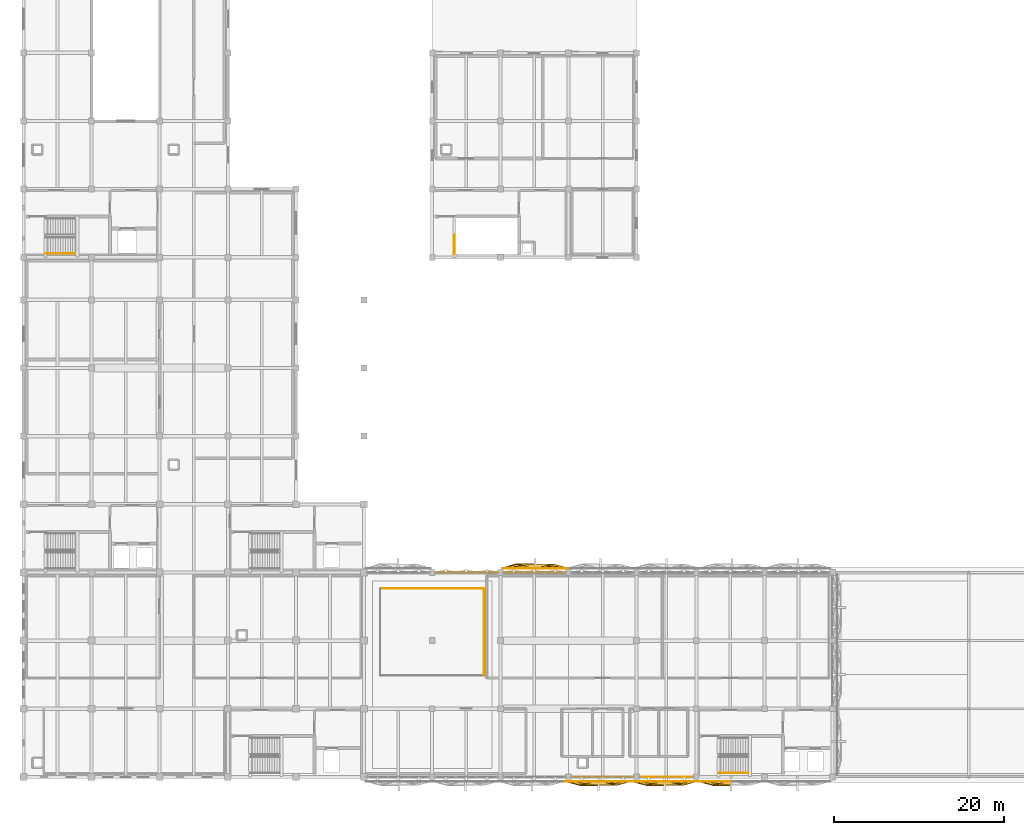
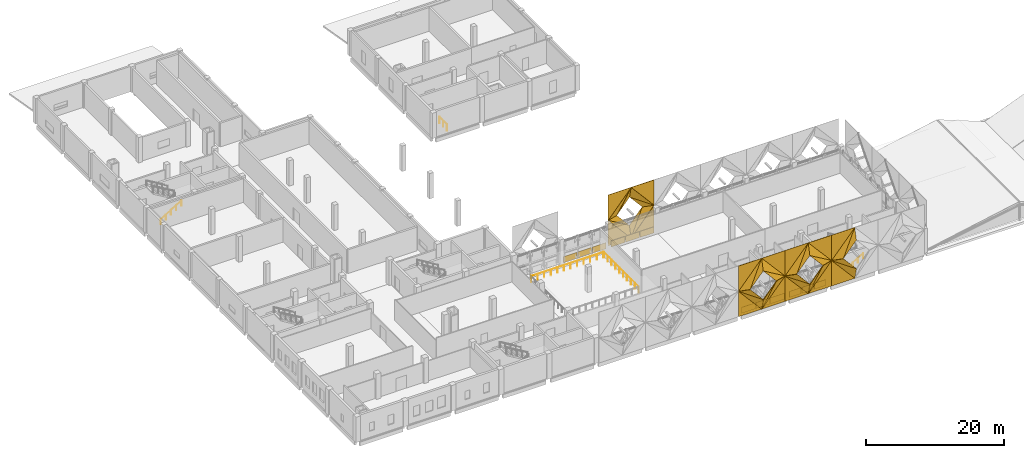
# One storey, part 31 of 37: 54 coverings, 5 railings.
"""IFC4 building model written with IfcOpenShell, lengths in metres."""

from ifc_helpers import new_model, si_unit, direction, frame, origin, origin_2d, place, context, subcontext, project, spatial, polyline, rectangle, circle, outline, extrude, material, layer, layer_set, type_object, element, save


model = new_model("IFC4")

# Units and contexts
model_context = context("Model", 3, precision=1e-05, world=origin(), true_north=direction((0.0, 1.0)))
body_context = subcontext(model_context, "Body", "Model", "MODEL_VIEW")
ifc_project = project(units=[si_unit("LENGTHUNIT", "METRE"), si_unit("AREAUNIT", "SQUARE_METRE"), si_unit("VOLUMEUNIT", "CUBIC_METRE"), si_unit("PLANEANGLEUNIT", "RADIAN"), si_unit("MASSUNIT", "GRAM", prefix="KILO")], contexts=[model_context])

# Site, building, storey
site_placement = place(None, origin())
site = spatial("IfcSite", under=ifc_project, at=site_placement, CompositionType="ELEMENT")
building_placement = place(site_placement, origin())
building = spatial("IfcBuilding", under=site, at=building_placement, Name="Qorikala Patio Media Centre", CompositionType="ELEMENT")
storey_placement = place(building_placement, frame((0.0, 0.0, 14.39990234375)))
storey = spatial("IfcBuildingStorey", under=building, at=storey_placement, Name="L03", CompositionType="ELEMENT", Elevation=14.39990234375)

# Coverings
ifc_material_1 = material(Name="Golden Bronze Anodised Aluminium Panel", Category="aluminium")
ifc_layer = layer(ifc_material_1, 0.044921875)
ifc_layer_set = layer_set([ifc_layer], Name="Golden Bronze Anodised Aluminium Panel")
covering_type = type_object("IfcCoveringType", Name="COV-CLAD-GOLD", PredefinedType="CLADDING", material=ifc_layer_set)
for number, where, z_axis, x_axis, name in (
    (1, (80.59326171875, 3.0, 0.0), (0.0, 0.0, 1.0), (-1.0, 0.0, 0.0), "L03 Golden Diamond Fold Spandrel 079"),
    (2, (78.5, 3.0, 0.0), (0.0, 0.0, 1.0), (-1.0, 0.0, 0.0), "L03 Golden Diamond Fold Spandrel 080"),
    (3, (76.40673828125, 3.0, 0.0), (0.0, 0.0, 1.0), (-1.0, 0.0, 0.0), "L03 Golden Diamond Fold Spandrel 081"),
):
    element("IfcCovering", number, at=place(storey_placement, frame(where, z_axis=z_axis, x_axis=x_axis)), inside=storey, type_object=covering_type, Name=name, PredefinedType="CLADDING", context=body_context, shape_type="SweptSolid", body=[
        extrude(rectangle(XDim=1.993408203125, YDim=0.044921875, at=origin_2d()), origin(), (0.0, 0.0, 1.0), 1.077880859375),
    ])
for number, where, z_axis, x_axis, name in (
    (4, (73.4267578125, 3.0, 0.0), (0.0, 0.0, 1.0), (-1.0, 0.0, 0.0), "L03 Golden Diamond Fold Spandrel 082"),
    (5, (71.0, 3.0, 0.0), (0.0, 0.0, 1.0), (-1.0, 0.0, 0.0), "L03 Golden Diamond Fold Spandrel 083"),
    (6, (68.5732421875, 3.0, 0.0), (0.0, 0.0, 1.0), (-1.0, 0.0, 0.0), "L03 Golden Diamond Fold Spandrel 084"),
    (7, (52.5732421875, 27.0, 0.0), (0.0, 0.0, 1.0), (1.0, 0.0, 0.0), "L03 Golden Diamond Fold Spandrel 097"),
    (8, (55.0, 27.0, 0.0), (0.0, 0.0, 1.0), (1.0, 0.0, 0.0), "L03 Golden Diamond Fold Spandrel 098"),
    (9, (57.4267578125, 27.0, 0.0), (0.0, 0.0, 1.0), (1.0, 0.0, 0.0), "L03 Golden Diamond Fold Spandrel 099"),
    (10, (60.5732421875, 27.0, 0.0), (0.0, 0.0, 1.0), (1.0, 0.0, 0.0), "L03 Golden Diamond Fold Spandrel 100"),
    (11, (63.0, 27.0, 0.0), (0.0, 0.0, 1.0), (1.0, 0.0, 0.0), "L03 Golden Diamond Fold Spandrel 101"),
    (12, (65.4267578125, 27.0, 0.0), (0.0, 0.0, 1.0), (1.0, 0.0, 0.0), "L03 Golden Diamond Fold Spandrel 102"),
):
    element("IfcCovering", number, at=place(storey_placement, frame(where, z_axis=z_axis, x_axis=x_axis)), inside=storey, type_object=covering_type, Name=name, PredefinedType="CLADDING", context=body_context, shape_type="SweptSolid", body=[
        extrude(rectangle(XDim=2.32666015625, YDim=0.044921875, at=origin_2d()), origin(), (0.0, 0.0, 1.0), 1.077880859375),
    ])
covering_1_placement = place(storey_placement, frame((70.5, 2.5, 9.0), z_axis=(-0.25998959314, -0.938955221267, 0.225318671919), x_axis=(-0.654921173069, 0.0, -0.755697199324)))
element("IfcCovering", 13, at=covering_1_placement, inside=storey, type_object=covering_type, Name="Golden Folded Diamond Facet S-2.4.TLA", PredefinedType="CLADDING", context=body_context, shape_type="SweptSolid", body=[
    extrude(outline(polyline([(0.0, 0.0), (5.9547660147806605, 4.440892098500626e-16), (4.831038962942992, 1.3809397672346417), (0.0, 0.0)])), origin(), (0.0, 0.0, -1.0), 0.044921875),
])
covering_2_placement = place(storey_placement, frame((70.5, 2.5, 9.0), z_axis=(-0.259960295692, -0.938966460381, 0.225305638952), x_axis=(-0.434683585743, -0.094555584379, -0.895605617305)))
element("IfcCovering", 14, at=covering_2_placement, inside=storey, type_object=covering_type, Name="Golden Folded Diamond Facet S-2.4.TLB", PredefinedType="CLADDING", context=body_context, shape_type="SweptSolid", body=[
    extrude(outline(polyline([(0.0, 0.0), (5.024533023297128, 0.0), (1.8182047664907954, 0.9166088951760534), (0.0, 0.0)])), origin(), (0.0, 0.0, -1.0), 0.044921875),
])
covering_3_placement = place(storey_placement, frame((74.39990234375, 2.5, 4.5), z_axis=(0.259973591034, -0.938962979761, 0.225304803775), x_axis=(-0.654921173069, 0.0, 0.755697199324)))
element("IfcCovering", 15, at=covering_3_placement, inside=storey, type_object=covering_type, Name="Golden Folded Diamond Facet S-2.4.TRA", PredefinedType="CLADDING", context=body_context, shape_type="SweptSolid", body=[
    extrude(outline(polyline([(0.0, 0.0), (5.9547660147806605, -4.440892098500626e-16), (4.458500319829892, 1.3810247679600853), (0.0, 0.0)])), origin(), (0.0, 0.0, -1.0), 0.044921875),
])
covering_4_placement = place(storey_placement, frame((74.39990234375, 2.5, 4.5), z_axis=(0.259988869131, -0.938952606503, 0.225330403337), x_axis=(-0.83554610606, -0.10178870179, 0.539909033852)))
element("IfcCovering", 16, at=covering_4_placement, inside=storey, type_object=covering_type, Name="Golden Folded Diamond Facet S-2.4.TRB", PredefinedType="CLADDING", context=body_context, shape_type="SweptSolid", body=[
    extrude(outline(polyline([(0.0, 0.0), (4.667489101395145, -4.440892098500626e-16), (1.4820065544618495, 0.9866173018419853), (0.0, 0.0)])), origin(), (0.0, 0.0, -1.0), 0.044921875),
])
covering_5_placement = place(storey_placement, frame((70.5, 2.5, 0.0), z_axis=(-0.25998959314, 0.938955221267, 0.225318671919), x_axis=(0.654921173069, 0.0, 0.755697199324)))
element("IfcCovering", 17, at=covering_5_placement, inside=storey, type_object=covering_type, Name="Golden Folded Diamond Facet S-2.4.BRA", PredefinedType="CLADDING", context=body_context, shape_type="SweptSolid", body=[
    extrude(outline(polyline([(0.0, 0.0), (5.9547660147806605, -4.440892098500626e-16), (4.831038962942992, -1.3809397672346417), (0.0, 0.0)])), origin(), (0.0, 0.0, -1.0), 0.044921875),
])
covering_6_placement = place(storey_placement, frame((70.5, 2.5, 0.0), z_axis=(-0.259960295692, 0.938966460381, 0.225305638952), x_axis=(0.434683585743, -0.094555584379, 0.895605617305)))
element("IfcCovering", 18, at=covering_6_placement, inside=storey, type_object=covering_type, Name="Golden Folded Diamond Facet S-2.4.BRB", PredefinedType="CLADDING", context=body_context, shape_type="SweptSolid", body=[
    extrude(outline(polyline([(0.0, 0.0), (5.024533023297128, 0.0), (1.8182047664907954, -0.9166088951760534), (0.0, 0.0)])), origin(), (0.0, 0.0, -1.0), 0.044921875),
])
covering_7_placement = place(storey_placement, frame((66.60009765625, 2.5, 4.5), z_axis=(0.259973591034, 0.938962979761, 0.225304803775), x_axis=(0.654921173069, 0.0, -0.755697199324)))
element("IfcCovering", 19, at=covering_7_placement, inside=storey, type_object=covering_type, Name="Golden Folded Diamond Facet S-2.4.BLA", PredefinedType="CLADDING", context=body_context, shape_type="SweptSolid", body=[
    extrude(outline(polyline([(0.0, 0.0), (5.9547660147806605, 4.440892098500626e-16), (4.458500319829892, -1.3810247679600853), (0.0, 0.0)])), origin(), (0.0, 0.0, -1.0), 0.044921875),
])
covering_8_placement = place(storey_placement, frame((66.60009765625, 2.5, 4.5), z_axis=(0.259988869131, 0.938952606503, 0.225330403337), x_axis=(0.83554610606, -0.10178870179, -0.539909033852)))
element("IfcCovering", 20, at=covering_8_placement, inside=storey, type_object=covering_type, Name="Golden Folded Diamond Facet S-2.4.BLB", PredefinedType="CLADDING", context=body_context, shape_type="SweptSolid", body=[
    extrude(outline(polyline([(0.0, 0.0), (4.667489101395145, 4.440892098500626e-16), (1.4820065544618495, -0.9866173018419853), (0.0, 0.0)])), origin(), (0.0, 0.0, -1.0), 0.044921875),
])
covering_9_placement = place(storey_placement, frame((66.60009765625, 2.5, 9.0), z_axis=(0.0, 1.0, 0.0), x_axis=(1.0, 0.0, 0.0)))
element("IfcCovering", 21, at=covering_9_placement, inside=storey, type_object=covering_type, Name="Golden Diamond Valley Spandrel S-2.4.CTL", PredefinedType="CLADDING", context=body_context, shape_type="SweptSolid", body=[
    extrude(outline(polyline([(0.0, 0.0), (3.89990234375, 0.0), (0.0, 4.5), (0.0, 0.0)])), origin(), (0.0, 0.0, -1.0), 0.044921875),
])
covering_10_placement = place(storey_placement, frame((74.39990234375, 2.5, 9.0), z_axis=(0.0, 1.0, 0.0), x_axis=(0.0, 0.0, -1.0)))
element("IfcCovering", 22, at=covering_10_placement, inside=storey, type_object=covering_type, Name="Golden Diamond Valley Spandrel S-2.4.CTR", PredefinedType="CLADDING", context=body_context, shape_type="SweptSolid", body=[
    extrude(outline(polyline([(0.0, 0.0), (4.5, 0.0), (0.0, 3.89990234375), (0.0, 0.0)])), origin(), (0.0, 0.0, -1.0), 0.044921875),
])
covering_11_placement = place(storey_placement, frame((74.39990234375, 2.5, 0.0), z_axis=(0.0, 1.0, 0.0), x_axis=(-1.0, 0.0, 0.0)))
element("IfcCovering", 23, at=covering_11_placement, inside=storey, type_object=covering_type, Name="Golden Diamond Valley Spandrel S-2.4.CBR", PredefinedType="CLADDING", context=body_context, shape_type="SweptSolid", body=[
    extrude(outline(polyline([(0.0, 0.0), (3.89990234375, 0.0), (0.0, 4.5), (0.0, 0.0)])), origin(), (0.0, 0.0, -1.0), 0.044921875),
])
covering_12_placement = place(storey_placement, frame((66.60009765625, 2.5, 0.0), z_axis=(0.0, 1.0, 0.0), x_axis=(0.0, 0.0, 1.0)))
element("IfcCovering", 24, at=covering_12_placement, inside=storey, type_object=covering_type, Name="Golden Diamond Valley Spandrel S-2.4.CBL", PredefinedType="CLADDING", context=body_context, shape_type="SweptSolid", body=[
    extrude(outline(polyline([(0.0, 0.0), (4.5, 0.0), (0.0, 3.89990234375), (0.0, 0.0)])), origin(), (0.0, 0.0, -1.0), 0.044921875),
])
covering_13_placement = place(storey_placement, frame((78.300048828125, 2.5, 9.0), z_axis=(-0.259956156203, -0.938968048279, 0.22530379749), x_axis=(-0.654944585876, 0.0, -0.755676908098)))
element("IfcCovering", 25, at=covering_13_placement, inside=storey, type_object=covering_type, Name="Golden Folded Diamond Facet S-2.5.TLA", PredefinedType="CLADDING", context=body_context, shape_type="SweptSolid", body=[
    extrude(outline(polyline([(0.0, 0.0), (5.954925910503226, 0.0), (4.830998787915266, 1.3810803066312252), (0.0, 0.0)])), origin(), (0.0, 0.0, -1.0), 0.044921875),
])
covering_14_placement = place(storey_placement, frame((78.300048828125, 2.5, 9.0), z_axis=(-0.259960295692, -0.938966460381, 0.225305638952), x_axis=(-0.434683585743, -0.094555584379, -0.895605617305)))
element("IfcCovering", 26, at=covering_14_placement, inside=storey, type_object=covering_type, Name="Golden Folded Diamond Facet S-2.5.TLB", PredefinedType="CLADDING", context=body_context, shape_type="SweptSolid", body=[
    extrude(outline(polyline([(0.0, 0.0), (5.024533023297128, 0.0), (1.8182047664907954, 0.9166088951760534), (0.0, 0.0)])), origin(), (0.0, 0.0, -1.0), 0.044921875),
])
covering_15_placement = place(storey_placement, frame((82.199951171875, 2.5, 4.5), z_axis=(0.259973591034, -0.938962979761, 0.225304803775), x_axis=(-0.654921173069, 0.0, 0.755697199324)))
element("IfcCovering", 27, at=covering_15_placement, inside=storey, type_object=covering_type, Name="Golden Folded Diamond Facet S-2.5.TRA", PredefinedType="CLADDING", context=body_context, shape_type="SweptSolid", body=[
    extrude(outline(polyline([(0.0, 0.0), (5.9547660147806605, -4.440892098500626e-16), (4.458500319829892, 1.3810247679600853), (0.0, 0.0)])), origin(), (0.0, 0.0, -1.0), 0.044921875),
])
covering_16_placement = place(storey_placement, frame((82.199951171875, 2.5, 4.5), z_axis=(0.25995773344, -0.938973745299, 0.225278233445), x_axis=(-0.83554610606, -0.10178870179, 0.539909033852)))
element("IfcCovering", 28, at=covering_16_placement, inside=storey, type_object=covering_type, Name="Golden Folded Diamond Facet S-2.5.TRB", PredefinedType="CLADDING", context=body_context, shape_type="SweptSolid", body=[
    extrude(outline(polyline([(0.0, 0.0), (4.667489101395145, -4.440892098500626e-16), (1.4822105452103993, 0.9867354710967576), (0.0, 0.0)])), origin(), (0.0, 0.0, -1.0), 0.044921875),
])
covering_17_placement = place(storey_placement, frame((78.300048828125, 2.5, 0.0), z_axis=(-0.259956982212, 0.938971031843, 0.225290409823), x_axis=(0.654921173069, 0.0, 0.755697199324)))
element("IfcCovering", 29, at=covering_17_placement, inside=storey, type_object=covering_type, Name="Golden Folded Diamond Facet S-2.5.BRA", PredefinedType="CLADDING", context=body_context, shape_type="SweptSolid", body=[
    extrude(outline(polyline([(0.0, 0.0), (5.9547660147806605, -4.440892098500626e-16), (4.830879070078474, -1.38111300253869), (0.0, 0.0)])), origin(), (0.0, 0.0, -1.0), 0.044921875),
])
covering_18_placement = place(storey_placement, frame((78.300048828125, 2.5, 0.0), z_axis=(-0.259987393467, 0.938959366186, 0.225303936695), x_axis=(0.434644175798, -0.094557581454, 0.895624533069)))
element("IfcCovering", 30, at=covering_18_placement, inside=storey, type_object=covering_type, Name="Golden Folded Diamond Facet S-2.5.BRB", PredefinedType="CLADDING", context=body_context, shape_type="SweptSolid", body=[
    extrude(outline(polyline([(0.0, 0.0), (5.02442690418556, -2.220446049250313e-16), (1.8182431681390123, -0.9165327168855022), (0.0, 0.0)])), origin(), (0.0, 0.0, -1.0), 0.044921875),
])
covering_19_placement = place(storey_placement, frame((74.39990234375, 2.5, 4.5), z_axis=(0.259958417044, 0.938966952181, 0.22530575696), x_axis=(0.654944585876, 0.0, -0.755676908098)))
element("IfcCovering", 31, at=covering_19_placement, inside=storey, type_object=covering_type, Name="Golden Folded Diamond Facet S-2.5.BLA", PredefinedType="CLADDING", context=body_context, shape_type="SweptSolid", body=[
    extrude(outline(polyline([(0.0, 0.0), (5.954925910503226, 0.0), (4.458700391784378, -1.3810682954655882), (0.0, 0.0)])), origin(), (0.0, 0.0, -1.0), 0.044921875),
])
covering_20_placement = place(storey_placement, frame((74.39990234375, 2.5, 4.5), z_axis=(0.259956258476, 0.938968417692, 0.225302139927), x_axis=(0.835561894446, -0.101784253308, -0.539885438152)))
element("IfcCovering", 32, at=covering_20_placement, inside=storey, type_object=covering_type, Name="Golden Folded Diamond Facet S-2.5.BLB", PredefinedType="CLADDING", context=body_context, shape_type="SweptSolid", body=[
    extrude(outline(polyline([(0.0, 0.0), (4.667693094071031, -8.881784197001252e-16), (1.4822355256344402, -0.9866979460810914), (0.0, 0.0)])), origin(), (0.0, 0.0, -1.0), 0.044921875),
])
covering_21_placement = place(storey_placement, frame((74.39990234375, 2.5, 9.0), z_axis=(0.0, 1.0, 0.0), x_axis=(1.0, 0.0, 0.0)))
element("IfcCovering", 33, at=covering_21_placement, inside=storey, type_object=covering_type, Name="Golden Diamond Valley Spandrel S-2.5.CTL", PredefinedType="CLADDING", context=body_context, shape_type="SweptSolid", body=[
    extrude(outline(polyline([(0.0, 0.0), (3.900146484375, 0.0), (0.0, 4.5), (0.0, 0.0)])), origin(), (0.0, 0.0, -1.0), 0.044921875),
])
covering_22_placement = place(storey_placement, frame((82.199951171875, 2.5, 9.0), z_axis=(0.0, 1.0, 0.0), x_axis=(0.0, 0.0, -1.0)))
element("IfcCovering", 34, at=covering_22_placement, inside=storey, type_object=covering_type, Name="Golden Diamond Valley Spandrel S-2.5.CTR", PredefinedType="CLADDING", context=body_context, shape_type="SweptSolid", body=[
    extrude(outline(polyline([(0.0, 0.0), (4.5, 0.0), (0.0, 3.89990234375), (0.0, 0.0)])), origin(), (0.0, 0.0, -1.0), 0.044921875),
])
covering_23_placement = place(storey_placement, frame((82.199951171875, 2.5, 0.0), z_axis=(0.0, 1.0, 0.0), x_axis=(-1.0, 0.0, 0.0)))
element("IfcCovering", 35, at=covering_23_placement, inside=storey, type_object=covering_type, Name="Golden Diamond Valley Spandrel S-2.5.CBR", PredefinedType="CLADDING", context=body_context, shape_type="SweptSolid", body=[
    extrude(outline(polyline([(0.0, 0.0), (3.89990234375, 0.0), (0.0, 4.5), (0.0, 0.0)])), origin(), (0.0, 0.0, -1.0), 0.044921875),
])
covering_24_placement = place(storey_placement, frame((74.39990234375, 2.5, 0.0), z_axis=(0.0, 1.0, 0.0), x_axis=(0.0, 0.0, 1.0)))
element("IfcCovering", 36, at=covering_24_placement, inside=storey, type_object=covering_type, Name="Golden Diamond Valley Spandrel S-2.5.CBL", PredefinedType="CLADDING", context=body_context, shape_type="SweptSolid", body=[
    extrude(outline(polyline([(0.0, 0.0), (4.5, 0.0), (0.0, 3.900146484375), (0.0, 0.0)])), origin(), (0.0, 0.0, -1.0), 0.044921875),
])
covering_25_placement = place(storey_placement, frame((86.10009765625, 2.5, 9.0), z_axis=(-0.259956156203, -0.938968048279, 0.22530379749), x_axis=(-0.654944585876, 0.0, -0.755676908098)))
element("IfcCovering", 37, at=covering_25_placement, inside=storey, type_object=covering_type, Name="Golden Folded Diamond Facet S-2.6.TLA", PredefinedType="CLADDING", context=body_context, shape_type="SweptSolid", body=[
    extrude(outline(polyline([(0.0, 0.0), (5.954925910503226, 0.0), (4.830998787915266, 1.3810803066312252), (0.0, 0.0)])), origin(), (0.0, 0.0, -1.0), 0.044921875),
])
covering_26_placement = place(storey_placement, frame((86.10009765625, 2.5, 9.0), z_axis=(-0.259960295692, -0.938966460381, 0.225305638952), x_axis=(-0.434683585743, -0.094555584379, -0.895605617305)))
element("IfcCovering", 38, at=covering_26_placement, inside=storey, type_object=covering_type, Name="Golden Folded Diamond Facet S-2.6.TLB", PredefinedType="CLADDING", context=body_context, shape_type="SweptSolid", body=[
    extrude(outline(polyline([(0.0, 0.0), (5.024533023297128, 0.0), (1.8182047664907954, 0.9166088951760534), (0.0, 0.0)])), origin(), (0.0, 0.0, -1.0), 0.044921875),
])
covering_27_placement = place(storey_placement, frame((82.199951171875, 2.5, 4.5), z_axis=(0.259958417044, 0.938966952181, 0.22530575696), x_axis=(0.654944585876, 0.0, -0.755676908098)))
element("IfcCovering", 39, at=covering_27_placement, inside=storey, type_object=covering_type, Name="Golden Folded Diamond Facet S-2.6.BLA", PredefinedType="CLADDING", context=body_context, shape_type="SweptSolid", body=[
    extrude(outline(polyline([(0.0, 0.0), (5.954925910503226, 0.0), (4.458700391784378, -1.3810682954655882), (0.0, 0.0)])), origin(), (0.0, 0.0, -1.0), 0.044921875),
])
covering_28_placement = place(storey_placement, frame((82.199951171875, 2.5, 4.5), z_axis=(0.259956258476, 0.938968417692, 0.225302139927), x_axis=(0.835561894446, -0.101784253308, -0.539885438152)))
element("IfcCovering", 40, at=covering_28_placement, inside=storey, type_object=covering_type, Name="Golden Folded Diamond Facet S-2.6.BLB", PredefinedType="CLADDING", context=body_context, shape_type="SweptSolid", body=[
    extrude(outline(polyline([(0.0, 0.0), (4.667693094071031, -8.881784197001252e-16), (1.4822355256344402, -0.9866979460810914), (0.0, 0.0)])), origin(), (0.0, 0.0, -1.0), 0.044921875),
])
covering_29_placement = place(storey_placement, frame((82.199951171875, 2.5, 9.0), z_axis=(0.0, 1.0, 0.0), x_axis=(1.0, 0.0, 0.0)))
element("IfcCovering", 41, at=covering_29_placement, inside=storey, type_object=covering_type, Name="Golden Diamond Valley Spandrel S-2.6.CTL", PredefinedType="CLADDING", context=body_context, shape_type="SweptSolid", body=[
    extrude(outline(polyline([(0.0, 0.0), (3.900146484375, 0.0), (0.0, 4.5), (0.0, 0.0)])), origin(), (0.0, 0.0, -1.0), 0.044921875),
])
covering_30_placement = place(storey_placement, frame((82.199951171875, 2.5, 0.0), z_axis=(0.0, 1.0, 0.0), x_axis=(0.0, 0.0, 1.0)))
element("IfcCovering", 42, at=covering_30_placement, inside=storey, type_object=covering_type, Name="Golden Diamond Valley Spandrel S-2.6.CBL", PredefinedType="CLADDING", context=body_context, shape_type="SweptSolid", body=[
    extrude(outline(polyline([(0.0, 0.0), (4.5, 0.0), (0.0, 3.900146484375), (0.0, 0.0)])), origin(), (0.0, 0.0, -1.0), 0.044921875),
])
covering_31_placement = place(storey_placement, frame((63.06005859375, 27.5, 9.0), z_axis=(-0.262462378719, 0.93830974756, 0.225140661346), x_axis=(-0.651079578851, 0.0, -0.759009474251)))
element("IfcCovering", 43, at=covering_31_placement, inside=storey, type_object=covering_type, Name="Golden Folded Diamond Facet N-2.1.TLA", PredefinedType="CLADDING", context=body_context, shape_type="SweptSolid", body=[
    extrude(outline(polyline([(0.0, 0.0), (5.928779748684755, 0.0), (4.822929985484664, -1.373924994689336), (0.0, 0.0)])), origin(), (0.0, 0.0, -1.0), 0.044921875),
])
covering_32_placement = place(storey_placement, frame((63.06005859375, 27.5, 9.0), z_axis=(-0.262476283203, 0.938304391158, 0.225146774993), x_axis=(-0.431047420192, 0.094738906674, -0.897341997851)))
element("IfcCovering", 44, at=covering_32_placement, inside=storey, type_object=covering_type, Name="Golden Folded Diamond Facet N-2.1.TLB", PredefinedType="CLADDING", context=body_context, shape_type="SweptSolid", body=[
    extrude(outline(polyline([(0.0, 0.0), (5.014810418741589, 0.0), (1.8217298620516404, -0.9095827336284614), (0.0, 0.0)])), origin(), (0.0, 0.0, -1.0), 0.044921875),
])
covering_33_placement = place(storey_placement, frame((66.919921875, 27.5, 4.5), z_axis=(0.26248543046, 0.938301971613, 0.225146194422), x_axis=(-0.651055854923, 0.0, 0.759029824032)))
element("IfcCovering", 45, at=covering_33_placement, inside=storey, type_object=covering_type, Name="Golden Folded Diamond Facet N-2.1.TRA", PredefinedType="CLADDING", context=body_context, shape_type="SweptSolid", body=[
    extrude(outline(polyline([(0.0, 0.0), (5.928620796605397, 0.0), (4.425756569823238, -1.3738411682083829), (0.0, 0.0)])), origin(), (0.0, 0.0, -1.0), 0.044921875),
])
covering_34_placement = place(storey_placement, frame((66.919921875, 27.5, 4.5), z_axis=(0.262495941529, 0.938294845466, 0.225163637502), x_axis=(-0.832928561936, 0.102522389723, 0.543800671493)))
element("IfcCovering", 46, at=covering_34_placement, inside=storey, type_object=covering_type, Name="Golden Folded Diamond Facet N-2.1.TRB", PredefinedType="CLADDING", context=body_context, shape_type="SweptSolid", body=[
    extrude(outline(polyline([(0.0, 0.0), (4.634086832462004, -4.440892098500626e-16), (1.463222570124503, -0.9842377866436913), (0.0, 0.0)])), origin(), (0.0, 0.0, -1.0), 0.044921875),
])
covering_35_placement = place(storey_placement, frame((63.06005859375, 27.5, 0.0), z_axis=(-0.262496439609, -0.938296625859, 0.22515563749), x_axis=(0.651055854923, 0.0, 0.759029824032)))
element("IfcCovering", 47, at=covering_35_placement, inside=storey, type_object=covering_type, Name="Golden Folded Diamond Facet N-2.1.BRA", PredefinedType="CLADDING", context=body_context, shape_type="SweptSolid", body=[
    extrude(outline(polyline([(0.0, 0.0), (5.928620796605397, 0.0), (4.822970277355765, 1.3737835490578736), (0.0, 0.0)])), origin(), (0.0, 0.0, -1.0), 0.044921875),
])
covering_36_placement = place(storey_placement, frame((63.06005859375, 27.5, 0.0), z_axis=(-0.262476283203, -0.938304391158, 0.225146774993), x_axis=(0.431047420192, 0.094738906674, 0.897341997851)))
element("IfcCovering", 48, at=covering_36_placement, inside=storey, type_object=covering_type, Name="Golden Folded Diamond Facet N-2.1.BRB", PredefinedType="CLADDING", context=body_context, shape_type="SweptSolid", body=[
    extrude(outline(polyline([(0.0, 0.0), (5.014810418741589, 0.0), (1.8217298620516404, 0.9095827336284614), (0.0, 0.0)])), origin(), (0.0, 0.0, -1.0), 0.044921875),
])
covering_37_placement = place(storey_placement, frame((59.199951171875, 27.5, 4.5), z_axis=(0.262469972732, -0.93830606029, 0.225147175502), x_axis=(0.651079578851, 0.0, -0.759009474251)))
element("IfcCovering", 49, at=covering_37_placement, inside=storey, type_object=covering_type, Name="Golden Folded Diamond Facet N-2.1.BLA", PredefinedType="CLADDING", context=body_context, shape_type="SweptSolid", body=[
    extrude(outline(polyline([(0.0, 0.0), (5.928779748684755, 4.440892098500626e-16), (4.4259558140712985, 1.3738852430820574), (0.0, 0.0)])), origin(), (0.0, 0.0, -1.0), 0.044921875),
])
covering_38_placement = place(storey_placement, frame((59.199951171875, 27.5, 4.5), z_axis=(0.262462722231, -0.938310975623, 0.225135142669), x_axis=(0.83294469419, 0.102517891019, -0.5437768094)))
element("IfcCovering", 50, at=covering_38_placement, inside=storey, type_object=covering_type, Name="Golden Folded Diamond Facet N-2.1.BLB", PredefinedType="CLADDING", context=body_context, shape_type="SweptSolid", body=[
    extrude(outline(polyline([(0.0, 0.0), (4.634290186131008, -4.440892098500626e-16), (1.4634511849127112, 0.9843191653012606), (0.0, 0.0)])), origin(), (0.0, 0.0, -1.0), 0.044921875),
])
covering_39_placement = place(storey_placement, frame((59.199951171875, 27.5, 9.0), z_axis=(0.0, 1.0, 0.0), x_axis=(1.0, 0.0, 0.0)))
element("IfcCovering", 51, at=covering_39_placement, inside=storey, type_object=covering_type, Name="Golden Diamond Valley Spandrel N-2.1.CTL", PredefinedType="CLADDING", context=body_context, shape_type="SweptSolid", body=[
    extrude(outline(polyline([(0.0, 0.0), (3.860107421875, 0.0), (0.0, 4.5), (0.0, 0.0)])), origin(), (0.0, 0.0, -1.0), 0.044921875),
])
covering_40_placement = place(storey_placement, frame((66.919921875, 27.5, 9.0), z_axis=(0.0, 1.0, 0.0), x_axis=(0.0, 0.0, -1.0)))
element("IfcCovering", 52, at=covering_40_placement, inside=storey, type_object=covering_type, Name="Golden Diamond Valley Spandrel N-2.1.CTR", PredefinedType="CLADDING", context=body_context, shape_type="SweptSolid", body=[
    extrude(outline(polyline([(0.0, 0.0), (4.5, 0.0), (0.0, 3.85986328125), (0.0, 0.0)])), origin(), (0.0, 0.0, -1.0), 0.044921875),
])
covering_41_placement = place(storey_placement, frame((66.919921875, 27.5, 0.0), z_axis=(0.0, 1.0, 0.0), x_axis=(-1.0, 0.0, 0.0)))
element("IfcCovering", 53, at=covering_41_placement, inside=storey, type_object=covering_type, Name="Golden Diamond Valley Spandrel N-2.1.CBR", PredefinedType="CLADDING", context=body_context, shape_type="SweptSolid", body=[
    extrude(outline(polyline([(0.0, 0.0), (3.85986328125, 0.0), (0.0, 4.5), (0.0, 0.0)])), origin(), (0.0, 0.0, -1.0), 0.044921875),
])
covering_42_placement = place(storey_placement, frame((59.199951171875, 27.5, 0.0), z_axis=(0.0, 1.0, 0.0), x_axis=(0.0, 0.0, 1.0)))
element("IfcCovering", 54, at=covering_42_placement, inside=storey, type_object=covering_type, Name="Golden Diamond Valley Spandrel N-2.1.CBL", PredefinedType="CLADDING", context=body_context, shape_type="SweptSolid", body=[
    extrude(outline(polyline([(0.0, 0.0), (4.5, 0.0), (0.0, 3.860107421875), (0.0, 0.0)])), origin(), (0.0, 0.0, -1.0), 0.044921875),
])

# Railings
ifc_material_2 = material(Name="Wrought Bronze and Steel S355", Category="steel")
railing_type_1 = type_object("IfcRailingType", Name="RL-GUARD-110", PredefinedType="GUARDRAIL", material=ifc_material_2)
railing_1_placement = place(storey_placement, frame((53.550048828125, 64.39990234375, 0.0)))
element("IfcRailing", 55, at=railing_1_placement, inside=storey, type_object=railing_type_1, Name="L03 ST-6 top well guard 1", PredefinedType="GUARDRAIL", context=body_context, shape_type="SweptSolid", body=[
    extrude(circle(Radius=0.02392578125, at=origin_2d()), frame((0.0, 0.0, 1.076171875), z_axis=(0.0, 1.0, 0.0), x_axis=(-1.0, 0.0, 0.0)), (0.0, 0.0, 1.0), 2.2001953125),
    extrude(circle(Radius=0.02099609375, at=origin_2d()), origin(), (0.0, 0.0, 1.0), 1.052001953125),
    extrude(circle(Radius=0.02099609375, at=origin_2d()), frame((0.0, 1.10009765625, 0.0)), (0.0, 0.0, 1.0), 1.052001953125),
    extrude(circle(Radius=0.02099609375, at=origin_2d()), frame((0.0, 2.2001953125, 0.0)), (0.0, 0.0, 1.0), 1.052001953125),
])
railing_2_placement = place(storey_placement, frame((57.10009765625, 14.93994140625, 0.0)))
element("IfcRailing", 56, at=railing_2_placement, inside=storey, type_object=railing_type_1, Name="L03 Rising Foyer Void Guardrail E", PredefinedType="GUARDRAIL", context=body_context, shape_type="SweptSolid", body=[
    extrude(circle(Radius=0.02392578125, at=origin_2d()), frame((0.0, 0.0, 1.076171875), z_axis=(0.0, 1.0, 0.0), x_axis=(-1.0, 0.0, 0.0)), (0.0, 0.0, 1.0), 10.1201171875),
    extrude(circle(Radius=0.02099609375, at=origin_2d()), origin(), (0.0, 0.0, 1.0), 1.052001953125),
    extrude(circle(Radius=0.02099609375, at=origin_2d()), frame((0.0, 1.12451171875, 0.0)), (0.0, 0.0, 1.0), 1.052001953125),
    extrude(circle(Radius=0.02099609375, at=origin_2d()), frame((0.0, 2.2490234375, 0.0)), (0.0, 0.0, 1.0), 1.052001953125),
    extrude(circle(Radius=0.02099609375, at=origin_2d()), frame((0.0, 3.373291015625, 0.0)), (0.0, 0.0, 1.0), 1.052001953125),
    extrude(circle(Radius=0.02099609375, at=origin_2d()), frame((0.0, 4.497802734375, 0.0)), (0.0, 0.0, 1.0), 1.052001953125),
    extrude(circle(Radius=0.02099609375, at=origin_2d()), frame((0.0, 5.622314453125, 0.0)), (0.0, 0.0, 1.0), 1.052001953125),
    extrude(circle(Radius=0.02099609375, at=origin_2d()), frame((0.0, 6.746826171875, 0.0)), (0.0, 0.0, 1.0), 1.052001953125),
    extrude(circle(Radius=0.02099609375, at=origin_2d()), frame((0.0, 7.87109375, 0.0)), (0.0, 0.0, 1.0), 1.052001953125),
    extrude(circle(Radius=0.02099609375, at=origin_2d()), frame((0.0, 8.99560546875, 0.0)), (0.0, 0.0, 1.0), 1.052001953125),
    extrude(circle(Radius=0.02099609375, at=origin_2d()), frame((0.0, 10.1201171875, 0.0)), (0.0, 0.0, 1.0), 1.052001953125),
])
railing_3_placement = place(storey_placement, frame((57.06005859375, 25.10009765625, 0.0)))
element("IfcRailing", 57, at=railing_3_placement, inside=storey, type_object=railing_type_1, Name="L03 Rising Foyer Void Guardrail N", PredefinedType="GUARDRAIL", context=body_context, shape_type="SweptSolid", body=[
    extrude(circle(Radius=0.02392578125, at=origin_2d()), frame((0.0, 0.0, 1.076171875), z_axis=(-1.0, 0.0, 0.0), x_axis=(0.0, -1.0, 0.0)), (0.0, 0.0, 1.0), 12.1201171875),
    extrude(circle(Radius=0.02099609375, at=origin_2d()), origin(), (0.0, 0.0, 1.0), 1.052001953125),
    extrude(circle(Radius=0.02099609375, at=origin_2d()), frame((-1.101806640625, 0.0, 0.0)), (0.0, 0.0, 1.0), 1.052001953125),
    extrude(circle(Radius=0.02099609375, at=origin_2d()), frame((-2.20361328125, 0.0, 0.0)), (0.0, 0.0, 1.0), 1.052001953125),
    extrude(circle(Radius=0.02099609375, at=origin_2d()), frame((-3.305419921875, 0.0, 0.0)), (0.0, 0.0, 1.0), 1.052001953125),
    extrude(circle(Radius=0.02099609375, at=origin_2d()), frame((-4.4072265625, 0.0, 0.0)), (0.0, 0.0, 1.0), 1.052001953125),
    extrude(circle(Radius=0.02099609375, at=origin_2d()), frame((-5.509033203125, 0.0, 0.0)), (0.0, 0.0, 1.0), 1.052001953125),
    extrude(circle(Radius=0.02099609375, at=origin_2d()), frame((-6.611083984375, 0.0, 0.0)), (0.0, 0.0, 1.0), 1.052001953125),
    extrude(circle(Radius=0.02099609375, at=origin_2d()), frame((-7.712890625, 0.0, 0.0)), (0.0, 0.0, 1.0), 1.052001953125),
    extrude(circle(Radius=0.02099609375, at=origin_2d()), frame((-8.814697265625, 0.0, 0.0)), (0.0, 0.0, 1.0), 1.052001953125),
    extrude(circle(Radius=0.02099609375, at=origin_2d()), frame((-9.91650390625, 0.0, 0.0)), (0.0, 0.0, 1.0), 1.052001953125),
    extrude(circle(Radius=0.02099609375, at=origin_2d()), frame((-11.018310546875, 0.0, 0.0)), (0.0, 0.0, 1.0), 1.052001953125),
    extrude(circle(Radius=0.02099609375, at=origin_2d()), frame((-12.1201171875, 0.0, 0.0)), (0.0, 0.0, 1.0), 1.052001953125),
])
ifc_material_3 = material(Name="Brushed Bronze Tubular Steel S355", Category="steel")
railing_type_2 = type_object("IfcRailingType", Name="RL-HAND-090", PredefinedType="HANDRAIL", material=ifc_material_3)
for number, where, name in (
    (58, (5.60009765625, 64.449951171875, 0.173095703125), "L03 ST-3 stair handrail 1"),
    (59, (84.60009765625, 3.449951171875, 0.173095703125), "L03 ST-4 stair handrail 1"),
):
    element("IfcRailing", number, at=place(storey_placement, frame(where)), inside=storey, type_object=railing_type_2, Name=name, PredefinedType="HANDRAIL", context=body_context, shape_type="SweptSolid", body=[
        extrude(circle(Radius=0.02392578125, at=origin_2d()), frame((0.0, 0.0, 0.8759765625), z_axis=(0.858697190188, 0.0, 0.512483302717), x_axis=(0.0, 1.0, 0.0)), (0.0, 0.0, 1.0), 4.052734375),
        extrude(circle(Radius=0.02099609375, at=origin_2d()), origin(), (0.0, 0.0, 1.0), 0.851806640625),
        extrude(circle(Radius=0.02099609375, at=origin_2d()), frame((0.8701171875, 0.0, 0.519287109375)), (0.0, 0.0, 1.0), 0.851806640625),
        extrude(circle(Radius=0.02099609375, at=origin_2d()), frame((1.739990234375, 0.0, 1.03857421875)), (0.0, 0.0, 1.0), 0.851806640625),
        extrude(circle(Radius=0.02099609375, at=origin_2d()), frame((2.60986328125, 0.0, 1.5576171875)), (0.0, 0.0, 1.0), 0.851806640625),
        extrude(circle(Radius=0.02099609375, at=origin_2d()), frame((3.47998046875, 0.0, 2.076904296875)), (0.0, 0.0, 1.0), 0.851806640625),
    ])

save(model, "model.ifc")
